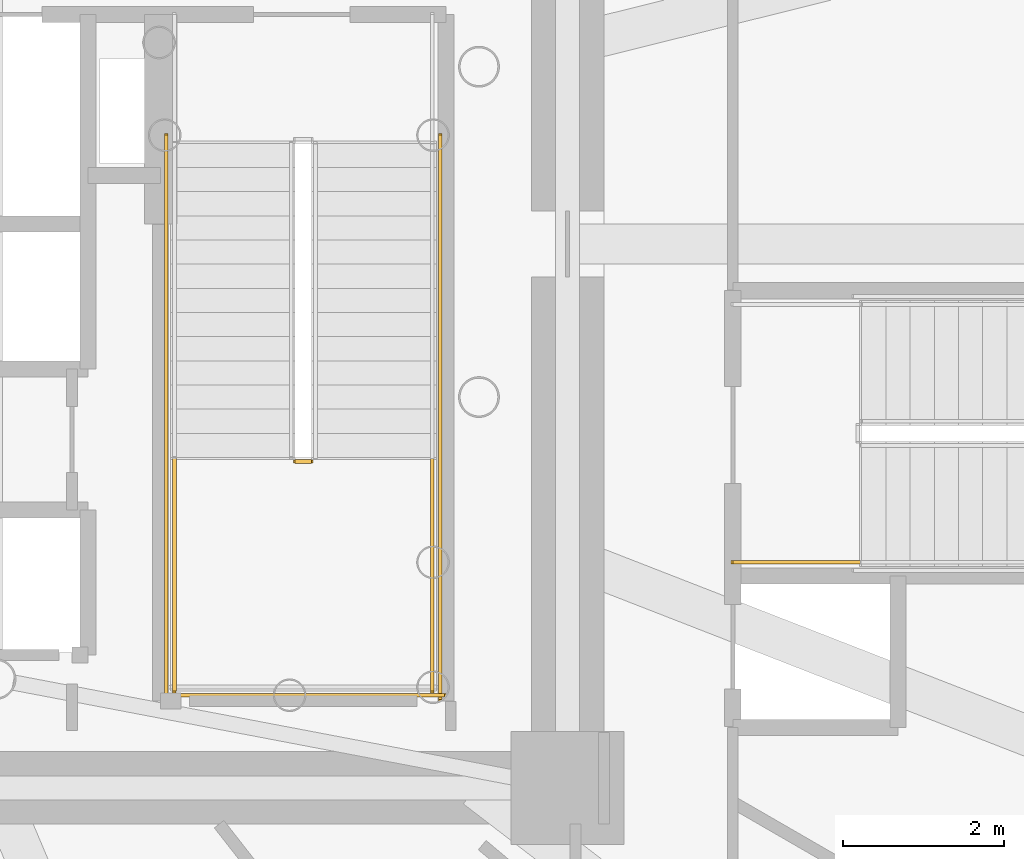
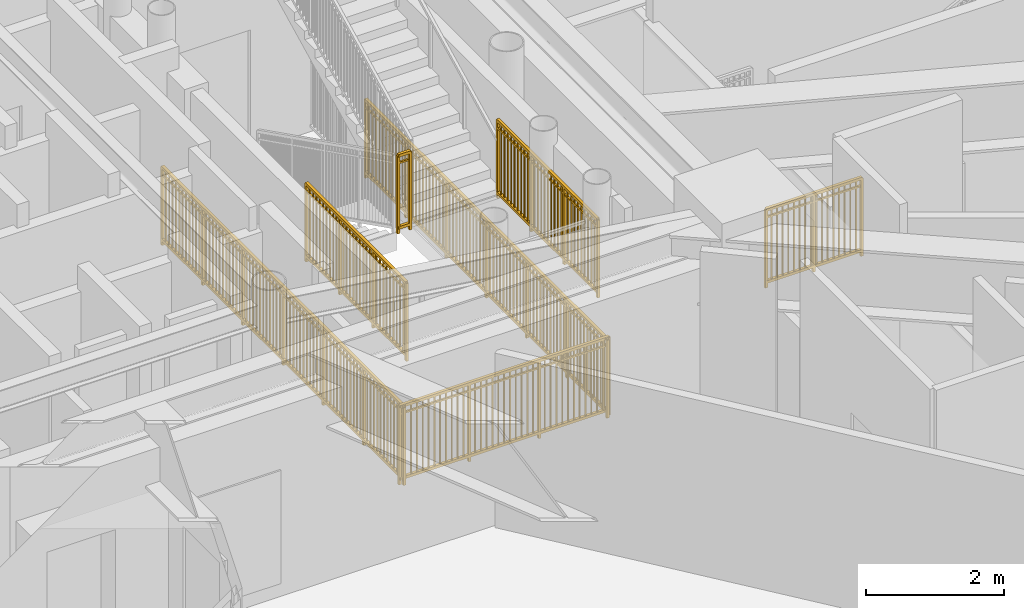
# One storey, part 23 of 27: 7 railings.
"""IFC4 building model written with IfcOpenShell, lengths in metres."""

from ifc_helpers import new_model, si_unit, direction, frame, origin, origin_2d, place, context, subcontext, project, spatial, rectangle, extrude, source, transform, mapped, material, type_object, element, save


model = new_model("IFC4")

# Units and contexts
model_context = context("Model", 3, precision=1e-05, world=origin(), true_north=direction((0.0, 1.0)))
body_context = subcontext(model_context, "Body", "Model", "MODEL_VIEW")
ifc_project = project(units=[si_unit("LENGTHUNIT", "METRE"), si_unit("AREAUNIT", "SQUARE_METRE"), si_unit("VOLUMEUNIT", "CUBIC_METRE"), si_unit("PLANEANGLEUNIT", "RADIAN"), si_unit("MASSUNIT", "GRAM", prefix="KILO")], contexts=[model_context])

# Site, building, storey
site_placement = place(None, origin())
site = spatial("IfcSite", under=ifc_project, at=site_placement, CompositionType="ELEMENT")
building_placement = place(site_placement, origin())
building = spatial("IfcBuilding", under=site, at=building_placement, Name="Linh Dai School and Residence Tower", CompositionType="ELEMENT")
storey_placement = place(building_placement, frame((0.0, 0.0, 22.800048828125)))
storey = spatial("IfcBuildingStorey", under=building, at=storey_placement, Name="L05", CompositionType="ELEMENT", Elevation=22.800048828125)

# Railings
ifc_material = material(Name="Structural Steel S355JR", Category="steel")
railing_type = type_object("IfcRailingType", Name="RL-ST-GUARD-1400", PredefinedType="GUARDRAIL", material=ifc_material)
shared_shape_1 = source(origin(), body_context, "Body", "SweptSolid", [
    extrude(rectangle(XDim=0.048095703125, YDim=0.048095703125, at=origin_2d()), frame((0.0, 0.0, 1.3759765625), z_axis=(1.0, 0.0, 0.0), x_axis=(0.0, 1.0, 0.0)), (0.0, 0.0, 1.0), 0.199951171875),
    extrude(rectangle(XDim=0.048095703125, YDim=0.048095703125, at=origin_2d()), frame((0.0, 0.0, 0.10009765625), z_axis=(1.0, 0.0, 0.0), x_axis=(0.0, 1.0, 0.0)), (0.0, 0.0, 1.0), 0.199951171875),
    extrude(rectangle(XDim=0.030029296875, YDim=0.030029296875, at=origin_2d()), frame((0.0, 0.0, 1.239990234375), z_axis=(1.0, 0.0, 0.0), x_axis=(0.0, 1.0, 0.0)), (0.0, 0.0, 1.0), 0.199951171875),
    extrude(rectangle(XDim=0.0419921875, YDim=0.0419921875, at=origin_2d()), origin(), (0.0, 0.0, 1.0), 1.3759765625),
    extrude(rectangle(XDim=0.0419921875, YDim=0.0419921875, at=origin_2d()), frame((0.199951171875, 0.0, 0.0)), (0.0, 0.0, 1.0), 1.3759765625),
])
railing_1_placement = place(storey_placement, frame((42.570068359375, 24.300048828125, 2.099853515625)))
element("IfcRailing", 1, at=railing_1_placement, inside=storey, type_object=railing_type, Name="L05 ST2 stair guard 2", PredefinedType="GUARDRAIL", context=body_context, shape_type="MappedRepresentation", body=[
    mapped(shared_shape_1, transform((0.0, 0.0, 0.0), x_axis=(1.0, 0.0, 0.0), y_axis=(0.0, 1.0, 0.0), z_axis=(0.0, 0.0, 1.0), scale=1.0)),
])
shared_shape_2 = source(origin(), body_context, "Body", "SweptSolid", [
    extrude(rectangle(XDim=0.048095703125, YDim=0.048095703125, at=origin_2d()), frame((0.0, 0.0, 1.3759765625), z_axis=(0.0, -1.0, 0.0), x_axis=(1.0, 0.0, 0.0)), (0.0, 0.0, 1.0), 7.0),
    extrude(rectangle(XDim=0.048095703125, YDim=0.048095703125, at=origin_2d()), frame((0.0, 0.0, 0.10009765625), z_axis=(0.0, -1.0, 0.0), x_axis=(1.0, 0.0, 0.0)), (0.0, 0.0, 1.0), 7.0),
    extrude(rectangle(XDim=0.030029296875, YDim=0.030029296875, at=origin_2d()), frame((0.0, 0.0, 1.239990234375), z_axis=(0.0, -1.0, 0.0), x_axis=(1.0, 0.0, 0.0)), (0.0, 0.0, 1.0), 7.0),
    extrude(rectangle(XDim=0.02001953125, YDim=0.02001953125, at=origin_2d()), frame((0.0, -0.09716796875, 0.10009765625)), (0.0, 0.0, 1.0), 1.251708984375),
    extrude(rectangle(XDim=0.02001953125, YDim=0.02001953125, at=origin_2d()), frame((0.0, -0.1943359375, 0.10009765625)), (0.0, 0.0, 1.0), 1.251708984375),
    extrude(rectangle(XDim=0.02001953125, YDim=0.02001953125, at=origin_2d()), frame((0.0, -0.291748046875, 0.10009765625)), (0.0, 0.0, 1.0), 1.251708984375),
    extrude(rectangle(XDim=0.02001953125, YDim=0.02001953125, at=origin_2d()), frame((0.0, -0.388916015625, 0.10009765625)), (0.0, 0.0, 1.0), 1.251708984375),
    extrude(rectangle(XDim=0.02001953125, YDim=0.02001953125, at=origin_2d()), frame((0.0, -0.486083984375, 0.10009765625)), (0.0, 0.0, 1.0), 1.251708984375),
    extrude(rectangle(XDim=0.02001953125, YDim=0.02001953125, at=origin_2d()), frame((0.0, -0.583251953125, 0.10009765625)), (0.0, 0.0, 1.0), 1.251708984375),
    extrude(rectangle(XDim=0.02001953125, YDim=0.02001953125, at=origin_2d()), frame((0.0, -0.6806640625, 0.10009765625)), (0.0, 0.0, 1.0), 1.251708984375),
    extrude(rectangle(XDim=0.02001953125, YDim=0.02001953125, at=origin_2d()), frame((0.0, -0.77783203125, 0.10009765625)), (0.0, 0.0, 1.0), 1.251708984375),
    extrude(rectangle(XDim=0.02001953125, YDim=0.02001953125, at=origin_2d()), frame((0.0, -0.875, 0.10009765625)), (0.0, 0.0, 1.0), 1.251708984375),
    extrude(rectangle(XDim=0.02001953125, YDim=0.02001953125, at=origin_2d()), frame((0.0, -0.97216796875, 0.10009765625)), (0.0, 0.0, 1.0), 1.251708984375),
    extrude(rectangle(XDim=0.02001953125, YDim=0.02001953125, at=origin_2d()), frame((0.0, -1.0693359375, 0.10009765625)), (0.0, 0.0, 1.0), 1.251708984375),
    extrude(rectangle(XDim=0.02001953125, YDim=0.02001953125, at=origin_2d()), frame((0.0, -1.263916015625, 0.10009765625)), (0.0, 0.0, 1.0), 1.251708984375),
    extrude(rectangle(XDim=0.02001953125, YDim=0.02001953125, at=origin_2d()), frame((0.0, -1.361083984375, 0.10009765625)), (0.0, 0.0, 1.0), 1.251708984375),
    extrude(rectangle(XDim=0.02001953125, YDim=0.02001953125, at=origin_2d()), frame((0.0, -1.458251953125, 0.10009765625)), (0.0, 0.0, 1.0), 1.251708984375),
    extrude(rectangle(XDim=0.02001953125, YDim=0.02001953125, at=origin_2d()), frame((0.0, -1.5556640625, 0.10009765625)), (0.0, 0.0, 1.0), 1.251708984375),
    extrude(rectangle(XDim=0.02001953125, YDim=0.02001953125, at=origin_2d()), frame((0.0, -1.65283203125, 0.10009765625)), (0.0, 0.0, 1.0), 1.251708984375),
    extrude(rectangle(XDim=0.02001953125, YDim=0.02001953125, at=origin_2d()), frame((0.0, -1.75, 0.10009765625)), (0.0, 0.0, 1.0), 1.251708984375),
    extrude(rectangle(XDim=0.02001953125, YDim=0.02001953125, at=origin_2d()), frame((0.0, -1.84716796875, 0.10009765625)), (0.0, 0.0, 1.0), 1.251708984375),
    extrude(rectangle(XDim=0.02001953125, YDim=0.02001953125, at=origin_2d()), frame((0.0, -1.9443359375, 0.10009765625)), (0.0, 0.0, 1.0), 1.251708984375),
    extrude(rectangle(XDim=0.02001953125, YDim=0.02001953125, at=origin_2d()), frame((0.0, -2.041748046875, 0.10009765625)), (0.0, 0.0, 1.0), 1.251708984375),
    extrude(rectangle(XDim=0.02001953125, YDim=0.02001953125, at=origin_2d()), frame((0.0, -2.138916015625, 0.10009765625)), (0.0, 0.0, 1.0), 1.251708984375),
    extrude(rectangle(XDim=0.02001953125, YDim=0.02001953125, at=origin_2d()), frame((0.0, -2.236083984375, 0.10009765625)), (0.0, 0.0, 1.0), 1.251708984375),
    extrude(rectangle(XDim=0.02001953125, YDim=0.02001953125, at=origin_2d()), frame((0.0, -2.4306640625, 0.10009765625)), (0.0, 0.0, 1.0), 1.251708984375),
    extrude(rectangle(XDim=0.02001953125, YDim=0.02001953125, at=origin_2d()), frame((0.0, -2.52783203125, 0.10009765625)), (0.0, 0.0, 1.0), 1.251708984375),
    extrude(rectangle(XDim=0.02001953125, YDim=0.02001953125, at=origin_2d()), frame((0.0, -2.625, 0.10009765625)), (0.0, 0.0, 1.0), 1.251708984375),
    extrude(rectangle(XDim=0.02001953125, YDim=0.02001953125, at=origin_2d()), frame((0.0, -2.72216796875, 0.10009765625)), (0.0, 0.0, 1.0), 1.251708984375),
    extrude(rectangle(XDim=0.02001953125, YDim=0.02001953125, at=origin_2d()), frame((0.0, -2.8193359375, 0.10009765625)), (0.0, 0.0, 1.0), 1.251708984375),
    extrude(rectangle(XDim=0.02001953125, YDim=0.02001953125, at=origin_2d()), frame((0.0, -2.916748046875, 0.10009765625)), (0.0, 0.0, 1.0), 1.251708984375),
    extrude(rectangle(XDim=0.02001953125, YDim=0.02001953125, at=origin_2d()), frame((0.0, -3.013916015625, 0.10009765625)), (0.0, 0.0, 1.0), 1.251708984375),
    extrude(rectangle(XDim=0.02001953125, YDim=0.02001953125, at=origin_2d()), frame((0.0, -3.111083984375, 0.10009765625)), (0.0, 0.0, 1.0), 1.251708984375),
    extrude(rectangle(XDim=0.02001953125, YDim=0.02001953125, at=origin_2d()), frame((0.0, -3.208251953125, 0.10009765625)), (0.0, 0.0, 1.0), 1.251708984375),
    extrude(rectangle(XDim=0.02001953125, YDim=0.02001953125, at=origin_2d()), frame((0.0, -3.3056640625, 0.10009765625)), (0.0, 0.0, 1.0), 1.251708984375),
    extrude(rectangle(XDim=0.02001953125, YDim=0.02001953125, at=origin_2d()), frame((0.0, -3.40283203125, 0.10009765625)), (0.0, 0.0, 1.0), 1.251708984375),
    extrude(rectangle(XDim=0.02001953125, YDim=0.02001953125, at=origin_2d()), frame((0.0, -3.59716796875, 0.10009765625)), (0.0, 0.0, 1.0), 1.251708984375),
    extrude(rectangle(XDim=0.02001953125, YDim=0.02001953125, at=origin_2d()), frame((0.0, -3.6943359375, 0.10009765625)), (0.0, 0.0, 1.0), 1.251708984375),
    extrude(rectangle(XDim=0.02001953125, YDim=0.02001953125, at=origin_2d()), frame((0.0, -3.791748046875, 0.10009765625)), (0.0, 0.0, 1.0), 1.251708984375),
    extrude(rectangle(XDim=0.02001953125, YDim=0.02001953125, at=origin_2d()), frame((0.0, -3.888916015625, 0.10009765625)), (0.0, 0.0, 1.0), 1.251708984375),
    extrude(rectangle(XDim=0.02001953125, YDim=0.02001953125, at=origin_2d()), frame((0.0, -3.986083984375, 0.10009765625)), (0.0, 0.0, 1.0), 1.251708984375),
    extrude(rectangle(XDim=0.02001953125, YDim=0.02001953125, at=origin_2d()), frame((0.0, -4.083251953125, 0.10009765625)), (0.0, 0.0, 1.0), 1.251708984375),
    extrude(rectangle(XDim=0.02001953125, YDim=0.02001953125, at=origin_2d()), frame((0.0, -4.1806640625, 0.10009765625)), (0.0, 0.0, 1.0), 1.251708984375),
    extrude(rectangle(XDim=0.02001953125, YDim=0.02001953125, at=origin_2d()), frame((0.0, -4.27783203125, 0.10009765625)), (0.0, 0.0, 1.0), 1.251708984375),
    extrude(rectangle(XDim=0.02001953125, YDim=0.02001953125, at=origin_2d()), frame((0.0, -4.375, 0.10009765625)), (0.0, 0.0, 1.0), 1.251708984375),
    extrude(rectangle(XDim=0.02001953125, YDim=0.02001953125, at=origin_2d()), frame((0.0, -4.47216796875, 0.10009765625)), (0.0, 0.0, 1.0), 1.251708984375),
    extrude(rectangle(XDim=0.02001953125, YDim=0.02001953125, at=origin_2d()), frame((0.0, -4.5693359375, 0.10009765625)), (0.0, 0.0, 1.0), 1.251708984375),
    extrude(rectangle(XDim=0.02001953125, YDim=0.02001953125, at=origin_2d()), frame((0.0, -4.763916015625, 0.10009765625)), (0.0, 0.0, 1.0), 1.251708984375),
    extrude(rectangle(XDim=0.02001953125, YDim=0.02001953125, at=origin_2d()), frame((0.0, -4.861083984375, 0.10009765625)), (0.0, 0.0, 1.0), 1.251708984375),
    extrude(rectangle(XDim=0.02001953125, YDim=0.02001953125, at=origin_2d()), frame((0.0, -4.958251953125, 0.10009765625)), (0.0, 0.0, 1.0), 1.251708984375),
    extrude(rectangle(XDim=0.02001953125, YDim=0.02001953125, at=origin_2d()), frame((0.0, -5.0556640625, 0.10009765625)), (0.0, 0.0, 1.0), 1.251708984375),
    extrude(rectangle(XDim=0.02001953125, YDim=0.02001953125, at=origin_2d()), frame((0.0, -5.15283203125, 0.10009765625)), (0.0, 0.0, 1.0), 1.251708984375),
    extrude(rectangle(XDim=0.02001953125, YDim=0.02001953125, at=origin_2d()), frame((0.0, -5.25, 0.10009765625)), (0.0, 0.0, 1.0), 1.251708984375),
    extrude(rectangle(XDim=0.02001953125, YDim=0.02001953125, at=origin_2d()), frame((0.0, -5.34716796875, 0.10009765625)), (0.0, 0.0, 1.0), 1.251708984375),
    extrude(rectangle(XDim=0.02001953125, YDim=0.02001953125, at=origin_2d()), frame((0.0, -5.4443359375, 0.10009765625)), (0.0, 0.0, 1.0), 1.251708984375),
    extrude(rectangle(XDim=0.02001953125, YDim=0.02001953125, at=origin_2d()), frame((0.0, -5.541748046875, 0.10009765625)), (0.0, 0.0, 1.0), 1.251708984375),
    extrude(rectangle(XDim=0.02001953125, YDim=0.02001953125, at=origin_2d()), frame((0.0, -5.638916015625, 0.10009765625)), (0.0, 0.0, 1.0), 1.251708984375),
    extrude(rectangle(XDim=0.02001953125, YDim=0.02001953125, at=origin_2d()), frame((0.0, -5.736083984375, 0.10009765625)), (0.0, 0.0, 1.0), 1.251708984375),
    extrude(rectangle(XDim=0.02001953125, YDim=0.02001953125, at=origin_2d()), frame((0.0, -5.9306640625, 0.10009765625)), (0.0, 0.0, 1.0), 1.251708984375),
    extrude(rectangle(XDim=0.02001953125, YDim=0.02001953125, at=origin_2d()), frame((0.0, -6.02783203125, 0.10009765625)), (0.0, 0.0, 1.0), 1.251708984375),
    extrude(rectangle(XDim=0.02001953125, YDim=0.02001953125, at=origin_2d()), frame((0.0, -6.125, 0.10009765625)), (0.0, 0.0, 1.0), 1.251708984375),
    extrude(rectangle(XDim=0.02001953125, YDim=0.02001953125, at=origin_2d()), frame((0.0, -6.22216796875, 0.10009765625)), (0.0, 0.0, 1.0), 1.251708984375),
    extrude(rectangle(XDim=0.02001953125, YDim=0.02001953125, at=origin_2d()), frame((0.0, -6.3193359375, 0.10009765625)), (0.0, 0.0, 1.0), 1.251708984375),
    extrude(rectangle(XDim=0.02001953125, YDim=0.02001953125, at=origin_2d()), frame((0.0, -6.416748046875, 0.10009765625)), (0.0, 0.0, 1.0), 1.251708984375),
    extrude(rectangle(XDim=0.02001953125, YDim=0.02001953125, at=origin_2d()), frame((0.0, -6.513916015625, 0.10009765625)), (0.0, 0.0, 1.0), 1.251708984375),
    extrude(rectangle(XDim=0.02001953125, YDim=0.02001953125, at=origin_2d()), frame((0.0, -6.611083984375, 0.10009765625)), (0.0, 0.0, 1.0), 1.251708984375),
    extrude(rectangle(XDim=0.02001953125, YDim=0.02001953125, at=origin_2d()), frame((0.0, -6.708251953125, 0.10009765625)), (0.0, 0.0, 1.0), 1.251708984375),
    extrude(rectangle(XDim=0.02001953125, YDim=0.02001953125, at=origin_2d()), frame((0.0, -6.8056640625, 0.10009765625)), (0.0, 0.0, 1.0), 1.251708984375),
    extrude(rectangle(XDim=0.02001953125, YDim=0.02001953125, at=origin_2d()), frame((0.0, -6.90283203125, 0.10009765625)), (0.0, 0.0, 1.0), 1.251708984375),
    extrude(rectangle(XDim=0.0419921875, YDim=0.0419921875, at=origin_2d()), origin(), (0.0, 0.0, 1.0), 1.3759765625),
    extrude(rectangle(XDim=0.0419921875, YDim=0.0419921875, at=origin_2d()), frame((0.0, -1.166748046875, 0.0)), (0.0, 0.0, 1.0), 1.3759765625),
    extrude(rectangle(XDim=0.0419921875, YDim=0.0419921875, at=origin_2d()), frame((0.0, -2.333251953125, 0.0)), (0.0, 0.0, 1.0), 1.3759765625),
    extrude(rectangle(XDim=0.0419921875, YDim=0.0419921875, at=origin_2d()), frame((0.0, -3.5, 0.0)), (0.0, 0.0, 1.0), 1.3759765625),
    extrude(rectangle(XDim=0.0419921875, YDim=0.0419921875, at=origin_2d()), frame((0.0, -4.666748046875, 0.0)), (0.0, 0.0, 1.0), 1.3759765625),
    extrude(rectangle(XDim=0.0419921875, YDim=0.0419921875, at=origin_2d()), frame((0.0, -5.833251953125, 0.0)), (0.0, 0.0, 1.0), 1.3759765625),
    extrude(rectangle(XDim=0.0419921875, YDim=0.0419921875, at=origin_2d()), frame((0.0, -7.0, 0.0)), (0.0, 0.0, 1.0), 1.3759765625),
])
for number, where, name in (
    (2, (40.969970703125, 28.35009765625, 0.0), "L05 ST2 stair guard 10"),
    (3, (44.3701171875, 28.35009765625, 0.0), "L05 ST2 stair guard 11"),
):
    element("IfcRailing", number, at=place(storey_placement, frame(where)), inside=storey, type_object=railing_type, Name=name, PredefinedType="GUARDRAIL", context=body_context, shape_type="MappedRepresentation", body=[
        mapped(shared_shape_2, transform((0.0, 0.0, 0.0), x_axis=(1.0, 0.0, 0.0), y_axis=(0.0, 1.0, 0.0), z_axis=(0.0, 0.0, 1.0), scale=1.0)),
    ])
shared_shape_3 = source(origin(), body_context, "Body", "SweptSolid", [
    extrude(rectangle(XDim=0.048095703125, YDim=0.048095703125, at=origin_2d()), frame((0.0, 0.0, 1.3759765625), z_axis=(1.0, 0.0, 0.0), x_axis=(0.0, 1.0, 0.0)), (0.0, 0.0, 1.0), 3.5),
    extrude(rectangle(XDim=0.048095703125, YDim=0.048095703125, at=origin_2d()), frame((0.0, 0.0, 0.10009765625), z_axis=(1.0, 0.0, 0.0), x_axis=(0.0, 1.0, 0.0)), (0.0, 0.0, 1.0), 3.5),
    extrude(rectangle(XDim=0.030029296875, YDim=0.030029296875, at=origin_2d()), frame((0.0, 0.0, 1.239990234375), z_axis=(1.0, 0.0, 0.0), x_axis=(0.0, 1.0, 0.0)), (0.0, 0.0, 1.0), 3.5),
    extrude(rectangle(XDim=0.02001953125, YDim=0.02001953125, at=origin_2d()), frame((0.09716796875, 0.0, 0.10009765625)), (0.0, 0.0, 1.0), 1.251708984375),
    extrude(rectangle(XDim=0.02001953125, YDim=0.02001953125, at=origin_2d()), frame((0.1943359375, 0.0, 0.10009765625)), (0.0, 0.0, 1.0), 1.251708984375),
    extrude(rectangle(XDim=0.02001953125, YDim=0.02001953125, at=origin_2d()), frame((0.291748046875, 0.0, 0.10009765625)), (0.0, 0.0, 1.0), 1.251708984375),
    extrude(rectangle(XDim=0.02001953125, YDim=0.02001953125, at=origin_2d()), frame((0.388916015625, 0.0, 0.10009765625)), (0.0, 0.0, 1.0), 1.251708984375),
    extrude(rectangle(XDim=0.02001953125, YDim=0.02001953125, at=origin_2d()), frame((0.486083984375, 0.0, 0.10009765625)), (0.0, 0.0, 1.0), 1.251708984375),
    extrude(rectangle(XDim=0.02001953125, YDim=0.02001953125, at=origin_2d()), frame((0.583251953125, 0.0, 0.10009765625)), (0.0, 0.0, 1.0), 1.251708984375),
    extrude(rectangle(XDim=0.02001953125, YDim=0.02001953125, at=origin_2d()), frame((0.6806640625, 0.0, 0.10009765625)), (0.0, 0.0, 1.0), 1.251708984375),
    extrude(rectangle(XDim=0.02001953125, YDim=0.02001953125, at=origin_2d()), frame((0.77783203125, 0.0, 0.10009765625)), (0.0, 0.0, 1.0), 1.251708984375),
    extrude(rectangle(XDim=0.02001953125, YDim=0.02001953125, at=origin_2d()), frame((0.875, 0.0, 0.10009765625)), (0.0, 0.0, 1.0), 1.251708984375),
    extrude(rectangle(XDim=0.02001953125, YDim=0.02001953125, at=origin_2d()), frame((0.97216796875, 0.0, 0.10009765625)), (0.0, 0.0, 1.0), 1.251708984375),
    extrude(rectangle(XDim=0.02001953125, YDim=0.02001953125, at=origin_2d()), frame((1.0693359375, 0.0, 0.10009765625)), (0.0, 0.0, 1.0), 1.251708984375),
    extrude(rectangle(XDim=0.02001953125, YDim=0.02001953125, at=origin_2d()), frame((1.263916015625, 0.0, 0.10009765625)), (0.0, 0.0, 1.0), 1.251708984375),
    extrude(rectangle(XDim=0.02001953125, YDim=0.02001953125, at=origin_2d()), frame((1.361083984375, 0.0, 0.10009765625)), (0.0, 0.0, 1.0), 1.251708984375),
    extrude(rectangle(XDim=0.02001953125, YDim=0.02001953125, at=origin_2d()), frame((1.458251953125, 0.0, 0.10009765625)), (0.0, 0.0, 1.0), 1.251708984375),
    extrude(rectangle(XDim=0.02001953125, YDim=0.02001953125, at=origin_2d()), frame((1.5556640625, 0.0, 0.10009765625)), (0.0, 0.0, 1.0), 1.251708984375),
    extrude(rectangle(XDim=0.02001953125, YDim=0.02001953125, at=origin_2d()), frame((1.65283203125, 0.0, 0.10009765625)), (0.0, 0.0, 1.0), 1.251708984375),
    extrude(rectangle(XDim=0.02001953125, YDim=0.02001953125, at=origin_2d()), frame((1.75, 0.0, 0.10009765625)), (0.0, 0.0, 1.0), 1.251708984375),
    extrude(rectangle(XDim=0.02001953125, YDim=0.02001953125, at=origin_2d()), frame((1.84716796875, 0.0, 0.10009765625)), (0.0, 0.0, 1.0), 1.251708984375),
    extrude(rectangle(XDim=0.02001953125, YDim=0.02001953125, at=origin_2d()), frame((1.9443359375, 0.0, 0.10009765625)), (0.0, 0.0, 1.0), 1.251708984375),
    extrude(rectangle(XDim=0.02001953125, YDim=0.02001953125, at=origin_2d()), frame((2.041748046875, 0.0, 0.10009765625)), (0.0, 0.0, 1.0), 1.251708984375),
    extrude(rectangle(XDim=0.02001953125, YDim=0.02001953125, at=origin_2d()), frame((2.138916015625, 0.0, 0.10009765625)), (0.0, 0.0, 1.0), 1.251708984375),
    extrude(rectangle(XDim=0.02001953125, YDim=0.02001953125, at=origin_2d()), frame((2.236083984375, 0.0, 0.10009765625)), (0.0, 0.0, 1.0), 1.251708984375),
    extrude(rectangle(XDim=0.02001953125, YDim=0.02001953125, at=origin_2d()), frame((2.4306640625, 0.0, 0.10009765625)), (0.0, 0.0, 1.0), 1.251708984375),
    extrude(rectangle(XDim=0.02001953125, YDim=0.02001953125, at=origin_2d()), frame((2.52783203125, 0.0, 0.10009765625)), (0.0, 0.0, 1.0), 1.251708984375),
    extrude(rectangle(XDim=0.02001953125, YDim=0.02001953125, at=origin_2d()), frame((2.625, 0.0, 0.10009765625)), (0.0, 0.0, 1.0), 1.251708984375),
    extrude(rectangle(XDim=0.02001953125, YDim=0.02001953125, at=origin_2d()), frame((2.72216796875, 0.0, 0.10009765625)), (0.0, 0.0, 1.0), 1.251708984375),
    extrude(rectangle(XDim=0.02001953125, YDim=0.02001953125, at=origin_2d()), frame((2.8193359375, 0.0, 0.10009765625)), (0.0, 0.0, 1.0), 1.251708984375),
    extrude(rectangle(XDim=0.02001953125, YDim=0.02001953125, at=origin_2d()), frame((2.916748046875, 0.0, 0.10009765625)), (0.0, 0.0, 1.0), 1.251708984375),
    extrude(rectangle(XDim=0.02001953125, YDim=0.02001953125, at=origin_2d()), frame((3.013916015625, 0.0, 0.10009765625)), (0.0, 0.0, 1.0), 1.251708984375),
    extrude(rectangle(XDim=0.02001953125, YDim=0.02001953125, at=origin_2d()), frame((3.111083984375, 0.0, 0.10009765625)), (0.0, 0.0, 1.0), 1.251708984375),
    extrude(rectangle(XDim=0.02001953125, YDim=0.02001953125, at=origin_2d()), frame((3.208251953125, 0.0, 0.10009765625)), (0.0, 0.0, 1.0), 1.251708984375),
    extrude(rectangle(XDim=0.02001953125, YDim=0.02001953125, at=origin_2d()), frame((3.3056640625, 0.0, 0.10009765625)), (0.0, 0.0, 1.0), 1.251708984375),
    extrude(rectangle(XDim=0.02001953125, YDim=0.02001953125, at=origin_2d()), frame((3.40283203125, 0.0, 0.10009765625)), (0.0, 0.0, 1.0), 1.251708984375),
    extrude(rectangle(XDim=0.0419921875, YDim=0.0419921875, at=origin_2d()), origin(), (0.0, 0.0, 1.0), 1.3759765625),
    extrude(rectangle(XDim=0.0419921875, YDim=0.0419921875, at=origin_2d()), frame((1.166748046875, 0.0, 0.0)), (0.0, 0.0, 1.0), 1.3759765625),
    extrude(rectangle(XDim=0.0419921875, YDim=0.0419921875, at=origin_2d()), frame((2.333251953125, 0.0, 0.0)), (0.0, 0.0, 1.0), 1.3759765625),
    extrude(rectangle(XDim=0.0419921875, YDim=0.0419921875, at=origin_2d()), frame((3.5, 0.0, 0.0)), (0.0, 0.0, 1.0), 1.3759765625),
])
railing_2_placement = place(storey_placement, frame((40.919921875, 21.39990234375, 0.0)))
element("IfcRailing", 4, at=railing_2_placement, inside=storey, type_object=railing_type, Name="L05 ST2 stair guard 12", PredefinedType="GUARDRAIL", context=body_context, shape_type="MappedRepresentation", body=[
    mapped(shared_shape_3, transform((0.0, 0.0, 0.0), x_axis=(1.0, 0.0, 0.0), y_axis=(0.0, 1.0, 0.0), z_axis=(0.0, 0.0, 1.0), scale=1.0)),
])
shared_shape_4 = source(origin(), body_context, "Body", "SweptSolid", [
    extrude(rectangle(XDim=0.048095703125, YDim=0.048095703125, at=origin_2d()), frame((0.0, 0.0, 1.3759765625), z_axis=(0.0, -1.0, 0.0), x_axis=(1.0, 0.0, 0.0)), (0.0, 0.0, 1.0), 2.900146484375),
    extrude(rectangle(XDim=0.048095703125, YDim=0.048095703125, at=origin_2d()), frame((0.0, 0.0, 0.10009765625), z_axis=(0.0, -1.0, 0.0), x_axis=(1.0, 0.0, 0.0)), (0.0, 0.0, 1.0), 2.900146484375),
    extrude(rectangle(XDim=0.030029296875, YDim=0.030029296875, at=origin_2d()), frame((0.0, 0.0, 1.239990234375), z_axis=(0.0, -1.0, 0.0), x_axis=(1.0, 0.0, 0.0)), (0.0, 0.0, 1.0), 2.900146484375),
    extrude(rectangle(XDim=0.02001953125, YDim=0.02001953125, at=origin_2d()), frame((0.0, -0.0966796875, 0.10009765625)), (0.0, 0.0, 1.0), 1.251708984375),
    extrude(rectangle(XDim=0.02001953125, YDim=0.02001953125, at=origin_2d()), frame((0.0, -0.193359375, 0.10009765625)), (0.0, 0.0, 1.0), 1.251708984375),
    extrude(rectangle(XDim=0.02001953125, YDim=0.02001953125, at=origin_2d()), frame((0.0, -0.2900390625, 0.10009765625)), (0.0, 0.0, 1.0), 1.251708984375),
    extrude(rectangle(XDim=0.02001953125, YDim=0.02001953125, at=origin_2d()), frame((0.0, -0.38671875, 0.10009765625)), (0.0, 0.0, 1.0), 1.251708984375),
    extrude(rectangle(XDim=0.02001953125, YDim=0.02001953125, at=origin_2d()), frame((0.0, -0.4833984375, 0.10009765625)), (0.0, 0.0, 1.0), 1.251708984375),
    extrude(rectangle(XDim=0.02001953125, YDim=0.02001953125, at=origin_2d()), frame((0.0, -0.580078125, 0.10009765625)), (0.0, 0.0, 1.0), 1.251708984375),
    extrude(rectangle(XDim=0.02001953125, YDim=0.02001953125, at=origin_2d()), frame((0.0, -0.6767578125, 0.10009765625)), (0.0, 0.0, 1.0), 1.251708984375),
    extrude(rectangle(XDim=0.02001953125, YDim=0.02001953125, at=origin_2d()), frame((0.0, -0.7734375, 0.10009765625)), (0.0, 0.0, 1.0), 1.251708984375),
    extrude(rectangle(XDim=0.02001953125, YDim=0.02001953125, at=origin_2d()), frame((0.0, -0.8701171875, 0.10009765625)), (0.0, 0.0, 1.0), 1.251708984375),
    extrude(rectangle(XDim=0.02001953125, YDim=0.02001953125, at=origin_2d()), frame((0.0, -1.0634765625, 0.10009765625)), (0.0, 0.0, 1.0), 1.251708984375),
    extrude(rectangle(XDim=0.02001953125, YDim=0.02001953125, at=origin_2d()), frame((0.0, -1.16015625, 0.10009765625)), (0.0, 0.0, 1.0), 1.251708984375),
    extrude(rectangle(XDim=0.02001953125, YDim=0.02001953125, at=origin_2d()), frame((0.0, -1.2568359375, 0.10009765625)), (0.0, 0.0, 1.0), 1.251708984375),
    extrude(rectangle(XDim=0.02001953125, YDim=0.02001953125, at=origin_2d()), frame((0.0, -1.353515625, 0.10009765625)), (0.0, 0.0, 1.0), 1.251708984375),
    extrude(rectangle(XDim=0.02001953125, YDim=0.02001953125, at=origin_2d()), frame((0.0, -1.4501953125, 0.10009765625)), (0.0, 0.0, 1.0), 1.251708984375),
    extrude(rectangle(XDim=0.02001953125, YDim=0.02001953125, at=origin_2d()), frame((0.0, -1.546630859375, 0.10009765625)), (0.0, 0.0, 1.0), 1.251708984375),
    extrude(rectangle(XDim=0.02001953125, YDim=0.02001953125, at=origin_2d()), frame((0.0, -1.643310546875, 0.10009765625)), (0.0, 0.0, 1.0), 1.251708984375),
    extrude(rectangle(XDim=0.02001953125, YDim=0.02001953125, at=origin_2d()), frame((0.0, -1.739990234375, 0.10009765625)), (0.0, 0.0, 1.0), 1.251708984375),
    extrude(rectangle(XDim=0.02001953125, YDim=0.02001953125, at=origin_2d()), frame((0.0, -1.836669921875, 0.10009765625)), (0.0, 0.0, 1.0), 1.251708984375),
    extrude(rectangle(XDim=0.02001953125, YDim=0.02001953125, at=origin_2d()), frame((0.0, -2.030029296875, 0.10009765625)), (0.0, 0.0, 1.0), 1.251708984375),
    extrude(rectangle(XDim=0.02001953125, YDim=0.02001953125, at=origin_2d()), frame((0.0, -2.126708984375, 0.10009765625)), (0.0, 0.0, 1.0), 1.251708984375),
    extrude(rectangle(XDim=0.02001953125, YDim=0.02001953125, at=origin_2d()), frame((0.0, -2.223388671875, 0.10009765625)), (0.0, 0.0, 1.0), 1.251708984375),
    extrude(rectangle(XDim=0.02001953125, YDim=0.02001953125, at=origin_2d()), frame((0.0, -2.320068359375, 0.10009765625)), (0.0, 0.0, 1.0), 1.251708984375),
    extrude(rectangle(XDim=0.02001953125, YDim=0.02001953125, at=origin_2d()), frame((0.0, -2.416748046875, 0.10009765625)), (0.0, 0.0, 1.0), 1.251708984375),
    extrude(rectangle(XDim=0.02001953125, YDim=0.02001953125, at=origin_2d()), frame((0.0, -2.513427734375, 0.10009765625)), (0.0, 0.0, 1.0), 1.251708984375),
    extrude(rectangle(XDim=0.02001953125, YDim=0.02001953125, at=origin_2d()), frame((0.0, -2.610107421875, 0.10009765625)), (0.0, 0.0, 1.0), 1.251708984375),
    extrude(rectangle(XDim=0.02001953125, YDim=0.02001953125, at=origin_2d()), frame((0.0, -2.706787109375, 0.10009765625)), (0.0, 0.0, 1.0), 1.251708984375),
    extrude(rectangle(XDim=0.02001953125, YDim=0.02001953125, at=origin_2d()), frame((0.0, -2.803466796875, 0.10009765625)), (0.0, 0.0, 1.0), 1.251708984375),
    extrude(rectangle(XDim=0.0419921875, YDim=0.0419921875, at=origin_2d()), origin(), (0.0, 0.0, 1.0), 1.3759765625),
    extrude(rectangle(XDim=0.0419921875, YDim=0.0419921875, at=origin_2d()), frame((0.0, -0.966796875, 0.0)), (0.0, 0.0, 1.0), 1.3759765625),
    extrude(rectangle(XDim=0.0419921875, YDim=0.0419921875, at=origin_2d()), frame((0.0, -1.933349609375, 0.0)), (0.0, 0.0, 1.0), 1.3759765625),
    extrude(rectangle(XDim=0.0419921875, YDim=0.0419921875, at=origin_2d()), frame((0.0, -2.900146484375, 0.0)), (0.0, 0.0, 1.0), 1.3759765625),
])
for number, where, name in (
    (5, (41.070068359375, 24.35009765625, 2.099853515625), "L05 ST2 stair guard 3"),
    (6, (44.27001953125, 24.35009765625, 2.099853515625), "L05 ST2 stair guard 4"),
):
    element("IfcRailing", number, at=place(storey_placement, frame(where)), inside=storey, type_object=railing_type, Name=name, PredefinedType="GUARDRAIL", context=body_context, shape_type="MappedRepresentation", body=[
        mapped(shared_shape_4, transform((0.0, 0.0, 0.0), x_axis=(1.0, 0.0, 0.0), y_axis=(0.0, 1.0, 0.0), z_axis=(0.0, 0.0, 1.0), scale=1.0)),
    ])
shared_shape_5 = source(origin(), body_context, "Body", "SweptSolid", [
    extrude(rectangle(XDim=0.048095703125, YDim=0.048095703125, at=origin_2d()), frame((0.0, 0.0, 1.3759765625), z_axis=(1.0, 0.0, 0.0), x_axis=(0.0, 1.0, 0.0)), (0.0, 0.0, 1.0), 1.60009765625),
    extrude(rectangle(XDim=0.048095703125, YDim=0.048095703125, at=origin_2d()), frame((0.0, 0.0, 0.10009765625), z_axis=(1.0, 0.0, 0.0), x_axis=(0.0, 1.0, 0.0)), (0.0, 0.0, 1.0), 1.60009765625),
    extrude(rectangle(XDim=0.030029296875, YDim=0.030029296875, at=origin_2d()), frame((0.0, 0.0, 1.239990234375), z_axis=(1.0, 0.0, 0.0), x_axis=(0.0, 1.0, 0.0)), (0.0, 0.0, 1.0), 1.60009765625),
    extrude(rectangle(XDim=0.02001953125, YDim=0.02001953125, at=origin_2d()), frame((0.09423828125, 0.0, 0.10009765625)), (0.0, 0.0, 1.0), 1.251708984375),
    extrude(rectangle(XDim=0.02001953125, YDim=0.02001953125, at=origin_2d()), frame((0.188232421875, 0.0, 0.10009765625)), (0.0, 0.0, 1.0), 1.251708984375),
    extrude(rectangle(XDim=0.02001953125, YDim=0.02001953125, at=origin_2d()), frame((0.282470703125, 0.0, 0.10009765625)), (0.0, 0.0, 1.0), 1.251708984375),
    extrude(rectangle(XDim=0.02001953125, YDim=0.02001953125, at=origin_2d()), frame((0.37646484375, 0.0, 0.10009765625)), (0.0, 0.0, 1.0), 1.251708984375),
    extrude(rectangle(XDim=0.02001953125, YDim=0.02001953125, at=origin_2d()), frame((0.470703125, 0.0, 0.10009765625)), (0.0, 0.0, 1.0), 1.251708984375),
    extrude(rectangle(XDim=0.02001953125, YDim=0.02001953125, at=origin_2d()), frame((0.564697265625, 0.0, 0.10009765625)), (0.0, 0.0, 1.0), 1.251708984375),
    extrude(rectangle(XDim=0.02001953125, YDim=0.02001953125, at=origin_2d()), frame((0.658935546875, 0.0, 0.10009765625)), (0.0, 0.0, 1.0), 1.251708984375),
    extrude(rectangle(XDim=0.02001953125, YDim=0.02001953125, at=origin_2d()), frame((0.7529296875, 0.0, 0.10009765625)), (0.0, 0.0, 1.0), 1.251708984375),
    extrude(rectangle(XDim=0.02001953125, YDim=0.02001953125, at=origin_2d()), frame((0.84716796875, 0.0, 0.10009765625)), (0.0, 0.0, 1.0), 1.251708984375),
    extrude(rectangle(XDim=0.02001953125, YDim=0.02001953125, at=origin_2d()), frame((0.941162109375, 0.0, 0.10009765625)), (0.0, 0.0, 1.0), 1.251708984375),
    extrude(rectangle(XDim=0.02001953125, YDim=0.02001953125, at=origin_2d()), frame((1.035400390625, 0.0, 0.10009765625)), (0.0, 0.0, 1.0), 1.251708984375),
    extrude(rectangle(XDim=0.02001953125, YDim=0.02001953125, at=origin_2d()), frame((1.12939453125, 0.0, 0.10009765625)), (0.0, 0.0, 1.0), 1.251708984375),
    extrude(rectangle(XDim=0.02001953125, YDim=0.02001953125, at=origin_2d()), frame((1.2236328125, 0.0, 0.10009765625)), (0.0, 0.0, 1.0), 1.251708984375),
    extrude(rectangle(XDim=0.02001953125, YDim=0.02001953125, at=origin_2d()), frame((1.317626953125, 0.0, 0.10009765625)), (0.0, 0.0, 1.0), 1.251708984375),
    extrude(rectangle(XDim=0.02001953125, YDim=0.02001953125, at=origin_2d()), frame((1.411865234375, 0.0, 0.10009765625)), (0.0, 0.0, 1.0), 1.251708984375),
    extrude(rectangle(XDim=0.02001953125, YDim=0.02001953125, at=origin_2d()), frame((1.505859375, 0.0, 0.10009765625)), (0.0, 0.0, 1.0), 1.251708984375),
    extrude(rectangle(XDim=0.0419921875, YDim=0.0419921875, at=origin_2d()), origin(), (0.0, 0.0, 1.0), 1.3759765625),
    extrude(rectangle(XDim=0.0419921875, YDim=0.0419921875, at=origin_2d()), frame((0.800048828125, 0.0, 0.0)), (0.0, 0.0, 1.0), 1.3759765625),
    extrude(rectangle(XDim=0.0419921875, YDim=0.0419921875, at=origin_2d()), frame((1.60009765625, 0.0, 0.0)), (0.0, 0.0, 1.0), 1.3759765625),
])
railing_3_placement = place(storey_placement, frame((48.0, 23.050048828125, 0.0)))
element("IfcRailing", 7, at=railing_3_placement, inside=storey, type_object=railing_type, Name="L05 STS2 stair guard 8", PredefinedType="GUARDRAIL", context=body_context, shape_type="MappedRepresentation", body=[
    mapped(shared_shape_5, transform((0.0, 0.0, 0.0), x_axis=(1.0, 0.0, 0.0), y_axis=(0.0, 1.0, 0.0), z_axis=(0.0, 0.0, 1.0), scale=1.0)),
])

save(model, "model.ifc")
